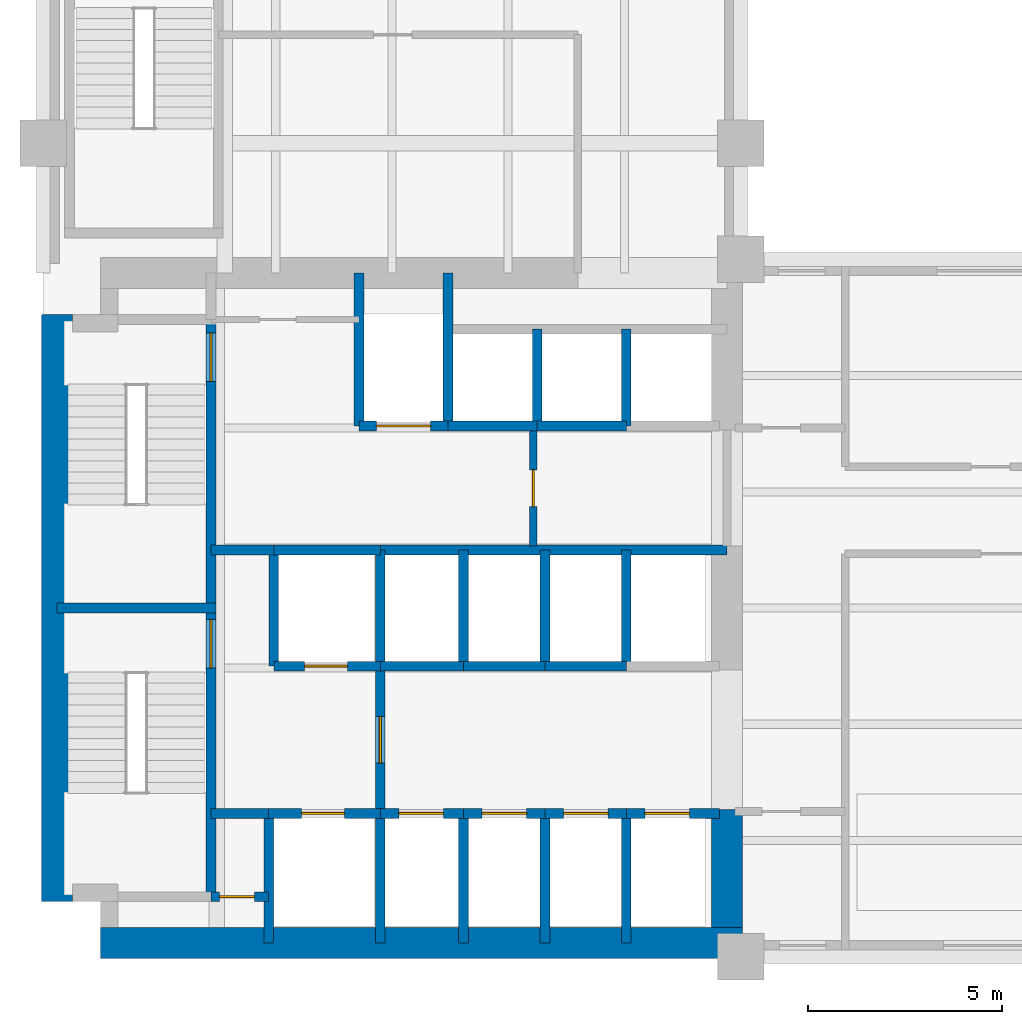
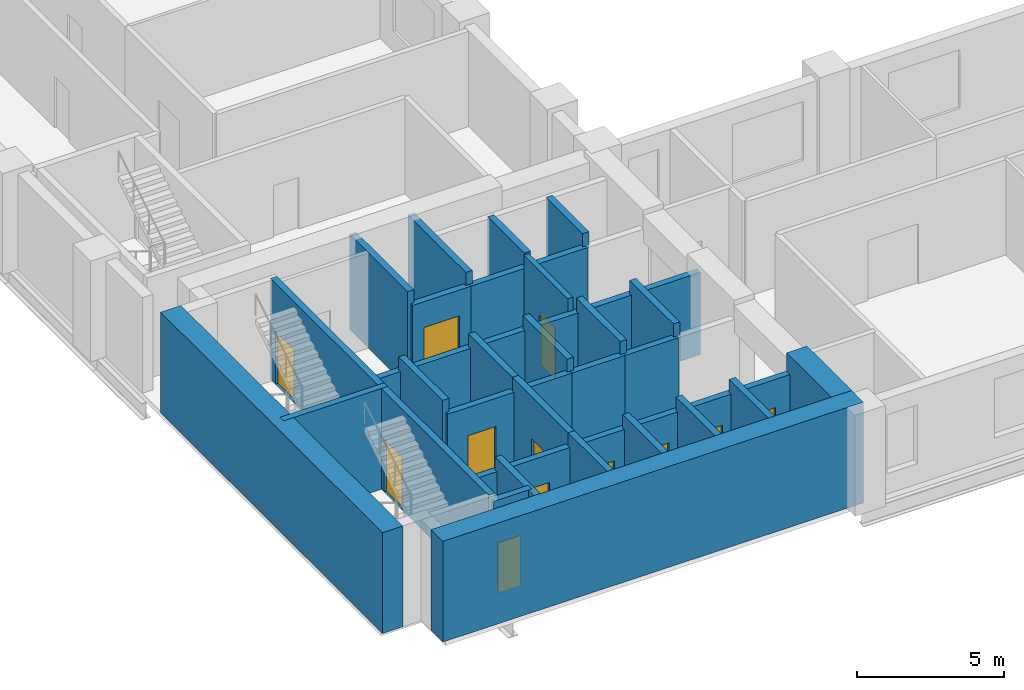
# One storey, part 3 of 7: 39 walls, 12 doors, 12 openings.
"""IFC4 building model written with IfcOpenShell, lengths in metres."""

from ifc_helpers import new_model, si_unit, direction, frame, frame_2d, origin, place, context, subcontext, project, spatial, rectangle, extrude, material, layer, layer_set, type_object, element, fill, save


model = new_model("IFC4")

# Units and contexts
model_context = context("Model", 3, precision=1e-05, world=origin(), true_north=direction((0.0, 1.0)))
body_context = subcontext(model_context, "Body", "Model", "MODEL_VIEW")
ifc_project = project(units=[si_unit("LENGTHUNIT", "METRE"), si_unit("AREAUNIT", "SQUARE_METRE"), si_unit("VOLUMEUNIT", "CUBIC_METRE"), si_unit("PLANEANGLEUNIT", "RADIAN"), si_unit("MASSUNIT", "GRAM", prefix="KILO")], contexts=[model_context])

# Site, building, storey
site_placement = place(None, origin())
site = spatial("IfcSite", under=ifc_project, at=site_placement, CompositionType="ELEMENT")
building_placement = place(site_placement, origin())
building = spatial("IfcBuilding", under=site, at=building_placement, Name="Mawjdan Bourse Tower", CompositionType="ELEMENT")
storey_placement = place(building_placement, frame((0.0, 0.0, 42.60009765625)))
storey = spatial("IfcBuildingStorey", under=building, at=storey_placement, Name="L09", CompositionType="ELEMENT", Elevation=42.60009765625)

# Wall, opening, door
ifc_material_1 = material(Name="Gypsum Fireboard Assembly")
ifc_layer_1 = layer(ifc_material_1, 0.199951171875)
ifc_layer_set_1 = layer_set([ifc_layer_1], Name="Gypsum Fireboard Assembly")
wall_type_1 = type_object("IfcWallType", Name="WL-CMP-200", PredefinedType="PARTITIONING", material=ifc_layer_set_1)
wall_1_placement = place(storey_placement, frame((18.64990234375, 13.60009765625, 0.0), z_axis=(0.0, 0.0, 1.0), x_axis=(0.0, 1.0, 0.0)))
wall_1 = element("IfcWall", 1, at=wall_1_placement, inside=storey, type_object=wall_type_1, Name="L09 Core Restroom West Wall", PredefinedType="PARTITIONING", context=body_context, shape_type="SweptSolid", body=[
    extrude(rectangle(XDim=3.0, YDim=0.199951171875, at=frame_2d((1.5, 0.0))), origin(), (0.0, 0.0, 1.0), 3.969970703125),
])
opening_1_placement = place(wall_1_placement, frame((1.02001953125, 0.0, 0.0)))
opening_1 = element("IfcOpeningElement", 2, at=opening_1_placement, cuts=wall_1, Name="Opening D-L09-14", PredefinedType="OPENING", context=body_context, shape_type="SweptSolid", body=[
    extrude(rectangle(XDim=0.949951171875, YDim=2.10009765625, at=frame_2d((0.47509765625, 1.050048828125))), frame((0.0, 0.10986328125, 0.0), z_axis=(0.0, -1.0, 0.0), x_axis=(1.0, 0.0, 0.0)), (0.0, 0.0, 1.0), 0.219970703125),
])
ifc_material_2 = material(Name="Moisture-Resistant Laminate Timber", Category="wood")
door_type_1 = type_object("IfcDoorType", Name="DR-WET-0950", OperationType="NOTDEFINED", PredefinedType="DOOR", material=ifc_material_2)
door_1_placement = place(opening_1_placement, origin())
door_1 = element("IfcDoor", 3, at=door_1_placement, inside=storey, type_object=door_type_1, Name="L09 Accessible WC Entry Door D-L09-14", OperationType="SINGLE_SWING_RIGHT", OverallHeight=2.10009765625, OverallWidth=0.949951171875, PredefinedType="DOOR", context=body_context, shape_type="SweptSolid", body=[
    extrude(rectangle(XDim=0.949951171875, YDim=2.10009765625, at=frame_2d((0.47509765625, 1.050048828125))), frame((0.0, 0.02490234375, 0.0), z_axis=(0.0, -1.0, 0.0), x_axis=(1.0, 0.0, 0.0)), (0.0, 0.0, 1.0), 0.050048828125),
])
fill(opening_1, door_1)

# Walls
ifc_material_3 = material(Name="Concrete C80/95", Category="concrete")
ifc_layer_2 = layer(ifc_material_3, 0.800048828125)
ifc_layer_set_2 = layer_set([ifc_layer_2], Name="Concrete C80/95")
wall_type_2 = type_object("IfcWallType", Name="WL-CORE-800", PredefinedType="SHEAR", material=ifc_layer_set_2)
wall_2_placement = place(storey_placement, frame((7.47509765625, 3.35009765625, 0.0), z_axis=(0.0, 0.0, 1.0), x_axis=(1.0, 0.0, 0.0)))
element("IfcWall", 4, at=wall_2_placement, inside=storey, type_object=wall_type_2, Name="L09 Rear Core Shear Wall S", PredefinedType="SHEAR", context=body_context, shape_type="SweptSolid", body=[
    extrude(rectangle(XDim=16.574951171875, YDim=0.800048828125, at=frame_2d((8.28759765625, 0.0))), origin(), (0.0, 0.0, 1.0), 4.199951171875),
])
wall_3_placement = place(storey_placement, frame((6.35009765625, 4.425048828125, 0.0), z_axis=(0.0, 0.0, 1.0), x_axis=(0.0, 1.0, 0.0)))
element("IfcWall", 5, at=wall_3_placement, inside=storey, type_object=wall_type_2, Name="L09 Rear Core Shear Wall W", PredefinedType="SHEAR", context=body_context, shape_type="SweptSolid", body=[
    extrude(rectangle(XDim=15.14990234375, YDim=0.800048828125, at=frame_2d((7.574951171875, 0.0))), origin(), (0.0, 0.0, 1.0), 4.199951171875),
])
wall_4_placement = place(storey_placement, frame((23.64990234375, 3.75, 0.0), z_axis=(0.0, 0.0, 1.0), x_axis=(0.0, 1.0, 0.0)))
element("IfcWall", 6, at=wall_4_placement, inside=storey, type_object=wall_type_2, Name="L09 Rear Core Shear Wall E1", PredefinedType="SHEAR", context=body_context, shape_type="SweptSolid", body=[
    extrude(rectangle(XDim=3.050048828125, YDim=0.800048828125, at=frame_2d((1.52490234375, 0.0))), origin(), (0.0, 0.0, 1.0), 4.199951171875),
])

# Wall, opening, door
ifc_material_4 = material(Name="Concrete C50/60", Category="concrete")
ifc_layer_3 = layer(ifc_material_4, 0.25)
ifc_layer_set_3 = layer_set([ifc_layer_3], Name="Concrete C50/60")
wall_type_3 = type_object("IfcWallType", Name="WL-SHFT-250", PredefinedType="PARTITIONING", material=ifc_layer_set_3)
wall_5_placement = place(storey_placement, frame((10.330078125, 4.550048828125, 0.0), z_axis=(0.0, 0.0, 1.0), x_axis=(1.0, 0.0, 0.0)))
wall_5 = element("IfcWall", 7, at=wall_5_placement, inside=storey, type_object=wall_type_3, Name="L09 SW Riser North Wall", PredefinedType="PARTITIONING", context=body_context, shape_type="SweptSolid", body=[
    extrude(rectangle(XDim=1.489990234375, YDim=0.25, at=frame_2d((0.7451171875, 0.0))), origin(), (0.0, 0.0, 1.0), 3.969970703125),
])
opening_2_placement = place(wall_5_placement, frame((0.219970703125, 0.0, 0.0)))
opening_2 = element("IfcOpeningElement", 8, at=opening_2_placement, cuts=wall_5, Name="Opening RD-L09-03", PredefinedType="OPENING", context=body_context, shape_type="SweptSolid", body=[
    extrude(rectangle(XDim=0.89990234375, YDim=2.10009765625, at=frame_2d((0.449951171875, 1.050048828125))), frame((0.0, 0.135009765625, 0.0), z_axis=(0.0, -1.0, 0.0), x_axis=(1.0, 0.0, 0.0)), (0.0, 0.0, 1.0), 0.27001953125),
])
ifc_material_5 = material(Name="Fire-Rated Steel Access Leaf", Category="steel")
door_type_2 = type_object("IfcDoorType", Name="FD-RSR-0900", OperationType="NOTDEFINED", PredefinedType="TRAPDOOR", material=ifc_material_5)
door_2_placement = place(opening_2_placement, origin())
door_2 = element("IfcDoor", 9, at=door_2_placement, inside=storey, type_object=door_type_2, Name="L09 Electrical Riser Access Door RD-L09-03", OperationType="SINGLE_SWING_RIGHT", OverallHeight=2.10009765625, OverallWidth=0.89990234375, PredefinedType="TRAPDOOR", context=body_context, shape_type="SweptSolid", body=[
    extrude(rectangle(XDim=0.89990234375, YDim=2.10009765625, at=frame_2d((0.449951171875, 1.050048828125))), frame((0.0, 0.02490234375, 0.0), z_axis=(0.0, -1.0, 0.0), x_axis=(1.0, 0.0, 0.0)), (0.0, 0.0, 1.0), 0.050048828125),
])
fill(opening_2, door_2)

# Wall
wall_6_placement = place(storey_placement, frame((11.820068359375, 3.35009765625, 0.0), z_axis=(0.0, 0.0, 1.0), x_axis=(0.0, 1.0, 0.0)))
element("IfcWall", 10, at=wall_6_placement, inside=storey, type_object=wall_type_3, Name="L09 SW Riser & FFL01 West Wall", PredefinedType="PARTITIONING", context=body_context, shape_type="SweptSolid", body=[
    extrude(rectangle(XDim=3.349853515625, YDim=0.25, at=frame_2d((1.6748046875, 0.0))), origin(), (0.0, 0.0, 1.0), 3.969970703125),
])

# Wall, opening, door
wall_7_placement = place(storey_placement, frame((11.820068359375, 6.699951171875, 0.0), z_axis=(0.0, 0.0, 1.0), x_axis=(1.0, 0.0, 0.0)))
wall_7 = element("IfcWall", 11, at=wall_7_placement, inside=storey, type_object=wall_type_3, Name="L09 FFL-01 Front Shaft Wall", PredefinedType="PARTITIONING", context=body_context, shape_type="SweptSolid", body=[
    extrude(rectangle(XDim=2.8798828125, YDim=0.25, at=frame_2d((1.43994140625, 0.0))), origin(), (0.0, 0.0, 1.0), 3.42578125),
])
opening_3_placement = place(wall_7_placement, frame((0.85009765625, 0.0, 0.0)))
opening_3 = element("IfcOpeningElement", 12, at=opening_3_placement, cuts=wall_7, Name="Opening LD-L09-05", PredefinedType="OPENING", context=body_context, shape_type="SweptSolid", body=[
    extrude(rectangle(XDim=1.10009765625, YDim=2.25, at=frame_2d((0.550048828125, 1.125))), frame((0.0, 0.135009765625, 0.0), z_axis=(0.0, -1.0, 0.0), x_axis=(1.0, 0.0, 0.0)), (0.0, 0.0, 1.0), 0.27001953125),
])
ifc_material_6 = material(Name="Brushed Stainless Steel", Category="steel")
door_type_3 = type_object("IfcDoorType", Name="LD-FFL-1100", OperationType="DOUBLE_DOOR_SLIDING", PredefinedType="DOOR", material=ifc_material_6)
door_3_placement = place(opening_3_placement, origin())
door_3 = element("IfcDoor", 13, at=door_3_placement, inside=storey, type_object=door_type_3, Name="L09 Firefighting Lift FFL-01 Landing Door LD-L09-05", OperationType="DOUBLE_DOOR_SLIDING", OverallHeight=2.25, OverallWidth=1.10009765625, PredefinedType="DOOR", context=body_context, shape_type="SweptSolid", body=[
    extrude(rectangle(XDim=1.10009765625, YDim=2.25, at=frame_2d((0.550048828125, 1.125))), frame((0.0, 0.02490234375, 0.0), z_axis=(0.0, -1.0, 0.0), x_axis=(1.0, 0.0, 0.0)), (0.0, 0.0, 1.0), 0.050048828125),
])
fill(opening_3, door_3)

# Wall
wall_8_placement = place(storey_placement, frame((14.699951171875, 3.35009765625, 0.0), z_axis=(0.0, 0.0, 1.0), x_axis=(0.0, 1.0, 0.0)))
element("IfcWall", 14, at=wall_8_placement, inside=storey, type_object=wall_type_3, Name="L09 FFL-01 East Shaft Wall", PredefinedType="PARTITIONING", context=body_context, shape_type="SweptSolid", body=[
    extrude(rectangle(XDim=3.349853515625, YDim=0.25, at=frame_2d((1.6748046875, 0.0))), origin(), (0.0, 0.0, 1.0), 3.969970703125),
])

# Wall, opening, door
wall_9_placement = place(storey_placement, frame((11.949951171875, 10.5, 0.0), z_axis=(0.0, 0.0, 1.0), x_axis=(1.0, 0.0, 0.0)))
wall_9 = element("IfcWall", 15, at=wall_9_placement, inside=storey, type_object=wall_type_3, Name="L09 FFL-02 Front Shaft Wall", PredefinedType="PARTITIONING", context=body_context, shape_type="SweptSolid", body=[
    extrude(rectangle(XDim=2.75, YDim=0.25, at=frame_2d((1.375, 0.0))), origin(), (0.0, 0.0, 1.0), 3.42578125),
])
opening_4_placement = place(wall_9_placement, frame((0.800048828125, 0.0, 0.0)))
opening_4 = element("IfcOpeningElement", 16, at=opening_4_placement, cuts=wall_9, Name="Opening LD-L09-06", PredefinedType="OPENING", context=body_context, shape_type="SweptSolid", body=[
    extrude(rectangle(XDim=1.10009765625, YDim=2.25, at=frame_2d((0.550048828125, 1.125))), frame((0.0, 0.135009765625, 0.0), z_axis=(0.0, -1.0, 0.0), x_axis=(1.0, 0.0, 0.0)), (0.0, 0.0, 1.0), 0.27001953125),
])
door_4_placement = place(opening_4_placement, origin())
door_4 = element("IfcDoor", 17, at=door_4_placement, inside=storey, type_object=door_type_3, Name="L09 Firefighting Lift FFL-02 Landing Door LD-L09-06", OperationType="DOUBLE_DOOR_SLIDING", OverallHeight=2.25, OverallWidth=1.10009765625, PredefinedType="DOOR", context=body_context, shape_type="SweptSolid", body=[
    extrude(rectangle(XDim=1.10009765625, YDim=2.25, at=frame_2d((0.550048828125, 1.125))), frame((0.0, 0.02490234375, 0.0), z_axis=(0.0, -1.0, 0.0), x_axis=(1.0, 0.0, 0.0)), (0.0, 0.0, 1.0), 0.050048828125),
])
fill(opening_4, door_4)

# Walls
wall_10_placement = place(storey_placement, frame((11.949951171875, 10.5, 0.0), z_axis=(0.0, 0.0, 1.0), x_axis=(0.0, 1.0, 0.0)))
element("IfcWall", 18, at=wall_10_placement, inside=storey, type_object=wall_type_3, Name="L09 FFL-02 West Shaft Wall", PredefinedType="PARTITIONING", context=body_context, shape_type="SweptSolid", body=[
    extrude(rectangle(XDim=3.0, YDim=0.25, at=frame_2d((1.5, 0.0))), origin(), (0.0, 0.0, 1.0), 3.969970703125),
])
wall_11_placement = place(storey_placement, frame((11.949951171875, 13.5, 0.0), z_axis=(0.0, 0.0, 1.0), x_axis=(1.0, 0.0, 0.0)))
element("IfcWall", 19, at=wall_11_placement, inside=storey, type_object=wall_type_3, Name="L09 FFL-02 North Shaft Wall", PredefinedType="PARTITIONING", context=body_context, shape_type="SweptSolid", body=[
    extrude(rectangle(XDim=2.75, YDim=0.25, at=frame_2d((1.375, 0.0))), origin(), (0.0, 0.0, 1.0), 3.42578125),
])
wall_12_placement = place(storey_placement, frame((14.699951171875, 10.5, 0.0), z_axis=(0.0, 0.0, 1.0), x_axis=(0.0, 1.0, 0.0)))
element("IfcWall", 20, at=wall_12_placement, inside=storey, type_object=wall_type_3, Name="L09 FFL-02 East Shaft Wall", PredefinedType="PARTITIONING", context=body_context, shape_type="SweptSolid", body=[
    extrude(rectangle(XDim=3.0, YDim=0.25, at=frame_2d((1.5, 0.0))), origin(), (0.0, 0.0, 1.0), 3.969970703125),
])

# Wall, opening, door
wall_13_placement = place(storey_placement, frame((14.699951171875, 6.699951171875, 0.0), z_axis=(0.0, 0.0, 1.0), x_axis=(0.0, 1.0, 0.0)))
wall_13 = element("IfcWall", 21, at=wall_13_placement, inside=storey, type_object=wall_type_3, Name="L09 Firefighting Lobby East Compartment Wall", PredefinedType="PARTITIONING", context=body_context, shape_type="SweptSolid", body=[
    extrude(rectangle(XDim=3.800048828125, YDim=0.25, at=frame_2d((1.89990234375, 0.0))), origin(), (0.0, 0.0, 1.0), 3.969970703125),
])
opening_5_placement = place(wall_13_placement, frame((1.300048828125, 0.0, 0.0)))
opening_5 = element("IfcOpeningElement", 22, at=opening_5_placement, cuts=wall_13, Name="Opening FD-L09-07", PredefinedType="OPENING", context=body_context, shape_type="SweptSolid", body=[
    extrude(rectangle(XDim=1.199951171875, YDim=2.199951171875, at=frame_2d((0.60009765625, 1.10009765625))), frame((0.0, 0.135009765625, 0.0), z_axis=(0.0, -1.0, 0.0), x_axis=(1.0, 0.0, 0.0)), (0.0, 0.0, 1.0), 0.27001953125),
])
ifc_material_7 = material(Name="Fire-Rated Steel Leaf", Category="steel")
door_type_4 = type_object("IfcDoorType", Name="FD-FFL-1200", OperationType="NOTDEFINED", PredefinedType="DOOR", material=ifc_material_7)
door_5_placement = place(opening_5_placement, origin())
door_5 = element("IfcDoor", 23, at=door_5_placement, inside=storey, type_object=door_type_4, Name="L09 Firefighting Lobby East Smoke Door FD-L09-07", OperationType="SINGLE_SWING_RIGHT", OverallHeight=2.199951171875, OverallWidth=1.199951171875, PredefinedType="DOOR", context=body_context, shape_type="SweptSolid", body=[
    extrude(rectangle(XDim=1.199951171875, YDim=2.199951171875, at=frame_2d((0.60009765625, 1.10009765625))), frame((0.0, 0.02490234375, 0.0), z_axis=(0.0, -1.0, 0.0), x_axis=(1.0, 0.0, 0.0)), (0.0, 0.0, 1.0), 0.050048828125),
])
fill(opening_5, door_5)

# Walls
wall_14_placement = place(storey_placement, frame((10.330078125, 13.5, 0.0), z_axis=(0.0, 0.0, 1.0), x_axis=(1.0, 0.0, 0.0)))
element("IfcWall", 24, at=wall_14_placement, inside=storey, type_object=wall_type_3, Name="L09 Firefighting Lobby North Compartment Wall", PredefinedType="PARTITIONING", context=body_context, shape_type="SweptSolid", body=[
    extrude(rectangle(XDim=1.619873046875, YDim=0.25, at=frame_2d((0.81005859375, 0.0))), origin(), (0.0, 0.0, 1.0), 3.42578125),
])
wall_15_placement = place(storey_placement, frame((10.330078125, 6.699951171875, 0.0), z_axis=(0.0, 0.0, 1.0), x_axis=(1.0, 0.0, 0.0)))
element("IfcWall", 25, at=wall_15_placement, inside=storey, type_object=wall_type_3, Name="L09 Firefighting Lobby South Closure Wall", PredefinedType="PARTITIONING", context=body_context, shape_type="SweptSolid", body=[
    extrude(rectangle(XDim=1.489990234375, YDim=0.25, at=frame_2d((0.7451171875, 0.0))), origin(), (0.0, 0.0, 1.0), 3.42578125),
])

# Wall, opening, door
wall_16_placement = place(storey_placement, frame((14.14990234375, 16.699951171875, 0.0), z_axis=(0.0, 0.0, 1.0), x_axis=(1.0, 0.0, 0.0)))
wall_16 = element("IfcWall", 26, at=wall_16_placement, inside=storey, type_object=wall_type_3, Name="L09 SVL-01 Front Shaft Wall", PredefinedType="PARTITIONING", context=body_context, shape_type="SweptSolid", body=[
    extrude(rectangle(XDim=2.300048828125, YDim=0.25, at=frame_2d((1.14990234375, 0.0))), origin(), (0.0, 0.0, 1.0), 3.42578125),
])
opening_6_placement = place(wall_16_placement, frame((0.449951171875, 0.0, 0.0)))
opening_6 = element("IfcOpeningElement", 27, at=opening_6_placement, cuts=wall_16, Name="Opening LD-L09-09", PredefinedType="OPENING", context=body_context, shape_type="SweptSolid", body=[
    extrude(rectangle(XDim=1.39990234375, YDim=2.35009765625, at=frame_2d((0.699951171875, 1.175048828125))), frame((0.0, 0.135009765625, 0.0), z_axis=(0.0, -1.0, 0.0), x_axis=(1.0, 0.0, 0.0)), (0.0, 0.0, 1.0), 0.27001953125),
])
ifc_material_8 = material(Name="Heavy-Duty Stainless Steel", Category="steel")
door_type_5 = type_object("IfcDoorType", Name="LD-SRV-1400", OperationType="DOUBLE_DOOR_SLIDING", PredefinedType="DOOR", material=ifc_material_8)
door_6_placement = place(opening_6_placement, origin())
door_6 = element("IfcDoor", 28, at=door_6_placement, inside=storey, type_object=door_type_5, Name="L09 Service Lift SVL-01 Landing Door LD-L09-09", OperationType="DOUBLE_DOOR_SLIDING", OverallHeight=2.35009765625, OverallWidth=1.39990234375, PredefinedType="DOOR", context=body_context, shape_type="SweptSolid", body=[
    extrude(rectangle(XDim=1.39990234375, YDim=2.35009765625, at=frame_2d((0.699951171875, 1.175048828125))), frame((0.0, 0.02490234375, 0.0), z_axis=(0.0, -1.0, 0.0), x_axis=(1.0, 0.0, 0.0)), (0.0, 0.0, 1.0), 0.050048828125),
])
fill(opening_6, door_6)

# Walls
for number, where, z_axis, x_axis, name in (
    (29, (14.14990234375, 16.699951171875, 0.0), (0.0, 0.0, 1.0), (0.0, 1.0, 0.0), "L09 SVL-01 West Shaft Wall"),
    (30, (16.449951171875, 16.699951171875, 0.0), (0.0, 0.0, 1.0), (0.0, 1.0, 0.0), "L09 SVL-01 East Shaft Wall"),
):
    element("IfcWall", number, at=place(storey_placement, frame(where, z_axis=z_axis, x_axis=x_axis)), inside=storey, type_object=wall_type_3, Name=name, PredefinedType="PARTITIONING", context=body_context, shape_type="SweptSolid", body=[
        extrude(rectangle(XDim=3.949951171875, YDim=0.25, at=frame_2d((1.97509765625, 0.0))), origin(), (0.0, 0.0, 1.0), 3.969970703125),
    ])
wall_17_placement = place(storey_placement, frame((16.449951171875, 16.699951171875, 0.0), z_axis=(0.0, 0.0, 1.0), x_axis=(1.0, 0.0, 0.0)))
element("IfcWall", 31, at=wall_17_placement, inside=storey, type_object=wall_type_3, Name="L09 PH-01 Front Wall", PredefinedType="PARTITIONING", context=body_context, shape_type="SweptSolid", body=[
    extrude(rectangle(XDim=2.300048828125, YDim=0.25, at=frame_2d((1.14990234375, 0.0))), origin(), (0.0, 0.0, 1.0), 3.42578125),
])
wall_18_placement = place(storey_placement, frame((18.75, 16.699951171875, 0.0), z_axis=(0.0, 0.0, 1.0), x_axis=(0.0, 1.0, 0.0)))
element("IfcWall", 32, at=wall_18_placement, inside=storey, type_object=wall_type_3, Name="L09 PH-01 Divider Wall", PredefinedType="PARTITIONING", context=body_context, shape_type="SweptSolid", body=[
    extrude(rectangle(XDim=2.5, YDim=0.25, at=frame_2d((1.25, 0.0))), origin(), (0.0, 0.0, 1.0), 3.969970703125),
])
wall_19_placement = place(storey_placement, frame((18.75, 16.699951171875, 0.0), z_axis=(0.0, 0.0, 1.0), x_axis=(1.0, 0.0, 0.0)))
element("IfcWall", 33, at=wall_19_placement, inside=storey, type_object=wall_type_3, Name="L09 PH-02 Front Wall", PredefinedType="PARTITIONING", context=body_context, shape_type="SweptSolid", body=[
    extrude(rectangle(XDim=2.300048828125, YDim=0.25, at=frame_2d((1.14990234375, 0.0))), origin(), (0.0, 0.0, 1.0), 3.42578125),
])
wall_20_placement = place(storey_placement, frame((21.050048828125, 16.699951171875, 0.0), z_axis=(0.0, 0.0, 1.0), x_axis=(0.0, 1.0, 0.0)))
element("IfcWall", 34, at=wall_20_placement, inside=storey, type_object=wall_type_3, Name="L09 PH-02 Divider Wall", PredefinedType="PARTITIONING", context=body_context, shape_type="SweptSolid", body=[
    extrude(rectangle(XDim=2.5, YDim=0.25, at=frame_2d((1.25, 0.0))), origin(), (0.0, 0.0, 1.0), 3.969970703125),
])

# Wall, opening, door
wall_21_placement = place(storey_placement, frame((14.699951171875, 6.699951171875, 0.0), z_axis=(0.0, 0.0, 1.0), x_axis=(1.0, 0.0, 0.0)))
wall_21 = element("IfcWall", 35, at=wall_21_placement, inside=storey, type_object=wall_type_3, Name="L09 PL-04 Front Wall", PredefinedType="PARTITIONING", context=body_context, shape_type="SweptSolid", body=[
    extrude(rectangle(XDim=2.150146484375, YDim=0.25, at=frame_2d((1.0751953125, 0.0))), origin(), (0.0, 0.0, 1.0), 3.42578125),
])
opening_7_placement = place(wall_21_placement, frame((0.47998046875, 0.0, 0.0)))
opening_7 = element("IfcOpeningElement", 36, at=opening_7_placement, cuts=wall_21, Name="Opening LD-L09-10", PredefinedType="OPENING", context=body_context, shape_type="SweptSolid", body=[
    extrude(rectangle(XDim=1.14990234375, YDim=2.25, at=frame_2d((0.574951171875, 1.125))), frame((0.0, 0.135009765625, 0.0), z_axis=(0.0, -1.0, 0.0), x_axis=(1.0, 0.0, 0.0)), (0.0, 0.0, 1.0), 0.27001953125),
])
door_type_6 = type_object("IfcDoorType", Name="LD-PAS-1150", OperationType="DOUBLE_DOOR_SLIDING", PredefinedType="DOOR", material=ifc_material_6)
door_7_placement = place(opening_7_placement, origin())
door_7 = element("IfcDoor", 37, at=door_7_placement, inside=storey, type_object=door_type_6, Name="L09 Lift PL-04 Landing Door LD-L09-10", OperationType="DOUBLE_DOOR_SLIDING", OverallHeight=2.25, OverallWidth=1.14990234375, PredefinedType="DOOR", context=body_context, shape_type="SweptSolid", body=[
    extrude(rectangle(XDim=1.14990234375, YDim=2.25, at=frame_2d((0.574951171875, 1.125))), frame((0.0, 0.02490234375, 0.0), z_axis=(0.0, -1.0, 0.0), x_axis=(1.0, 0.0, 0.0)), (0.0, 0.0, 1.0), 0.050048828125),
])
fill(opening_7, door_7)

# Wall
wall_22_placement = place(storey_placement, frame((16.85009765625, 3.35009765625, 0.0), z_axis=(0.0, 0.0, 1.0), x_axis=(0.0, 1.0, 0.0)))
element("IfcWall", 38, at=wall_22_placement, inside=storey, type_object=wall_type_3, Name="L09 PL-04 Divider Wall", PredefinedType="PARTITIONING", context=body_context, shape_type="SweptSolid", body=[
    extrude(rectangle(XDim=3.349853515625, YDim=0.25, at=frame_2d((1.6748046875, 0.0))), origin(), (0.0, 0.0, 1.0), 3.969970703125),
])

# Wall, opening, door
wall_23_placement = place(storey_placement, frame((16.85009765625, 6.699951171875, 0.0), z_axis=(0.0, 0.0, 1.0), x_axis=(1.0, 0.0, 0.0)))
wall_23 = element("IfcWall", 39, at=wall_23_placement, inside=storey, type_object=wall_type_3, Name="L09 PL-01 Front Wall", PredefinedType="PARTITIONING", context=body_context, shape_type="SweptSolid", body=[
    extrude(rectangle(XDim=2.099853515625, YDim=0.25, at=frame_2d((1.0498046875, 0.0))), origin(), (0.0, 0.0, 1.0), 3.42578125),
])
opening_8_placement = place(wall_23_placement, frame((0.47998046875, 0.0, 0.0)))
opening_8 = element("IfcOpeningElement", 40, at=opening_8_placement, cuts=wall_23, Name="Opening LD-L09-11", PredefinedType="OPENING", context=body_context, shape_type="SweptSolid", body=[
    extrude(rectangle(XDim=1.14990234375, YDim=2.25, at=frame_2d((0.574951171875, 1.125))), frame((0.0, 0.135009765625, 0.0), z_axis=(0.0, -1.0, 0.0), x_axis=(1.0, 0.0, 0.0)), (0.0, 0.0, 1.0), 0.27001953125),
])
door_8_placement = place(opening_8_placement, origin())
door_8 = element("IfcDoor", 41, at=door_8_placement, inside=storey, type_object=door_type_6, Name="L09 Lift PL-01 Landing Door LD-L09-11", OperationType="DOUBLE_DOOR_SLIDING", OverallHeight=2.25, OverallWidth=1.14990234375, PredefinedType="DOOR", context=body_context, shape_type="SweptSolid", body=[
    extrude(rectangle(XDim=1.14990234375, YDim=2.25, at=frame_2d((0.574951171875, 1.125))), frame((0.0, 0.02490234375, 0.0), z_axis=(0.0, -1.0, 0.0), x_axis=(1.0, 0.0, 0.0)), (0.0, 0.0, 1.0), 0.050048828125),
])
fill(opening_8, door_8)

# Wall
wall_24_placement = place(storey_placement, frame((18.949951171875, 3.35009765625, 0.0), z_axis=(0.0, 0.0, 1.0), x_axis=(0.0, 1.0, 0.0)))
element("IfcWall", 42, at=wall_24_placement, inside=storey, type_object=wall_type_3, Name="L09 PL-01 Divider Wall", PredefinedType="PARTITIONING", context=body_context, shape_type="SweptSolid", body=[
    extrude(rectangle(XDim=3.349853515625, YDim=0.25, at=frame_2d((1.6748046875, 0.0))), origin(), (0.0, 0.0, 1.0), 3.969970703125),
])

# Wall, opening, door
wall_25_placement = place(storey_placement, frame((18.949951171875, 6.699951171875, 0.0), z_axis=(0.0, 0.0, 1.0), x_axis=(1.0, 0.0, 0.0)))
wall_25 = element("IfcWall", 43, at=wall_25_placement, inside=storey, type_object=wall_type_3, Name="L09 PL-02 Front Wall", PredefinedType="PARTITIONING", context=body_context, shape_type="SweptSolid", body=[
    extrude(rectangle(XDim=2.10009765625, YDim=0.25, at=frame_2d((1.050048828125, 0.0))), origin(), (0.0, 0.0, 1.0), 3.42578125),
])
opening_9_placement = place(wall_25_placement, frame((0.47998046875, 0.0, 0.0)))
opening_9 = element("IfcOpeningElement", 44, at=opening_9_placement, cuts=wall_25, Name="Opening LD-L09-12", PredefinedType="OPENING", context=body_context, shape_type="SweptSolid", body=[
    extrude(rectangle(XDim=1.14990234375, YDim=2.25, at=frame_2d((0.574951171875, 1.125))), frame((0.0, 0.135009765625, 0.0), z_axis=(0.0, -1.0, 0.0), x_axis=(1.0, 0.0, 0.0)), (0.0, 0.0, 1.0), 0.27001953125),
])
door_9_placement = place(opening_9_placement, origin())
door_9 = element("IfcDoor", 45, at=door_9_placement, inside=storey, type_object=door_type_6, Name="L09 Lift PL-02 Landing Door LD-L09-12", OperationType="DOUBLE_DOOR_SLIDING", OverallHeight=2.25, OverallWidth=1.14990234375, PredefinedType="DOOR", context=body_context, shape_type="SweptSolid", body=[
    extrude(rectangle(XDim=1.14990234375, YDim=2.25, at=frame_2d((0.574951171875, 1.125))), frame((0.0, 0.02490234375, 0.0), z_axis=(0.0, -1.0, 0.0), x_axis=(1.0, 0.0, 0.0)), (0.0, 0.0, 1.0), 0.050048828125),
])
fill(opening_9, door_9)

# Wall
wall_26_placement = place(storey_placement, frame((21.050048828125, 3.35009765625, 0.0), z_axis=(0.0, 0.0, 1.0), x_axis=(0.0, 1.0, 0.0)))
element("IfcWall", 46, at=wall_26_placement, inside=storey, type_object=wall_type_3, Name="L09 PL-02 Divider Wall", PredefinedType="PARTITIONING", context=body_context, shape_type="SweptSolid", body=[
    extrude(rectangle(XDim=3.349853515625, YDim=0.25, at=frame_2d((1.6748046875, 0.0))), origin(), (0.0, 0.0, 1.0), 3.969970703125),
])

# Wall, opening, door
wall_27_placement = place(storey_placement, frame((21.050048828125, 6.699951171875, 0.0), z_axis=(0.0, 0.0, 1.0), x_axis=(1.0, 0.0, 0.0)))
wall_27 = element("IfcWall", 47, at=wall_27_placement, inside=storey, type_object=wall_type_3, Name="L09 PL-03 Front Wall", PredefinedType="PARTITIONING", context=body_context, shape_type="SweptSolid", body=[
    extrude(rectangle(XDim=2.39990234375, YDim=0.25, at=frame_2d((1.199951171875, 0.0))), origin(), (0.0, 0.0, 1.0), 3.42578125),
])
opening_10_placement = place(wall_27_placement, frame((0.47998046875, 0.0, 0.0)))
opening_10 = element("IfcOpeningElement", 48, at=opening_10_placement, cuts=wall_27, Name="Opening LD-L09-13", PredefinedType="OPENING", context=body_context, shape_type="SweptSolid", body=[
    extrude(rectangle(XDim=1.14990234375, YDim=2.25, at=frame_2d((0.574951171875, 1.125))), frame((0.0, 0.135009765625, 0.0), z_axis=(0.0, -1.0, 0.0), x_axis=(1.0, 0.0, 0.0)), (0.0, 0.0, 1.0), 0.27001953125),
])
door_10_placement = place(opening_10_placement, origin())
door_10 = element("IfcDoor", 49, at=door_10_placement, inside=storey, type_object=door_type_6, Name="L09 Lift PL-03 Landing Door LD-L09-13", OperationType="DOUBLE_DOOR_SLIDING", OverallHeight=2.25, OverallWidth=1.14990234375, PredefinedType="DOOR", context=body_context, shape_type="SweptSolid", body=[
    extrude(rectangle(XDim=1.14990234375, YDim=2.25, at=frame_2d((0.574951171875, 1.125))), frame((0.0, 0.02490234375, 0.0), z_axis=(0.0, -1.0, 0.0), x_axis=(1.0, 0.0, 0.0)), (0.0, 0.0, 1.0), 0.050048828125),
])
fill(opening_10, door_10)

# Walls
wall_28_placement = place(storey_placement, frame((14.699951171875, 10.5, 0.0), z_axis=(0.0, 0.0, 1.0), x_axis=(1.0, 0.0, 0.0)))
element("IfcWall", 50, at=wall_28_placement, inside=storey, type_object=wall_type_3, Name="L09 PM-01 Front Wall", PredefinedType="PARTITIONING", context=body_context, shape_type="SweptSolid", body=[
    extrude(rectangle(XDim=2.150146484375, YDim=0.25, at=frame_2d((1.0751953125, 0.0))), origin(), (0.0, 0.0, 1.0), 3.42578125),
])
wall_29_placement = place(storey_placement, frame((16.85009765625, 10.5, 0.0), z_axis=(0.0, 0.0, 1.0), x_axis=(0.0, 1.0, 0.0)))
element("IfcWall", 51, at=wall_29_placement, inside=storey, type_object=wall_type_3, Name="L09 PM-01 Divider Wall", PredefinedType="PARTITIONING", context=body_context, shape_type="SweptSolid", body=[
    extrude(rectangle(XDim=3.0, YDim=0.25, at=frame_2d((1.5, 0.0))), origin(), (0.0, 0.0, 1.0), 3.969970703125),
])
wall_30_placement = place(storey_placement, frame((16.85009765625, 10.5, 0.0), z_axis=(0.0, 0.0, 1.0), x_axis=(1.0, 0.0, 0.0)))
element("IfcWall", 52, at=wall_30_placement, inside=storey, type_object=wall_type_3, Name="L09 PM-02 Front Wall", PredefinedType="PARTITIONING", context=body_context, shape_type="SweptSolid", body=[
    extrude(rectangle(XDim=2.099853515625, YDim=0.25, at=frame_2d((1.0498046875, 0.0))), origin(), (0.0, 0.0, 1.0), 3.42578125),
])
wall_31_placement = place(storey_placement, frame((18.949951171875, 10.5, 0.0), z_axis=(0.0, 0.0, 1.0), x_axis=(0.0, 1.0, 0.0)))
element("IfcWall", 53, at=wall_31_placement, inside=storey, type_object=wall_type_3, Name="L09 PM-02 Divider Wall", PredefinedType="PARTITIONING", context=body_context, shape_type="SweptSolid", body=[
    extrude(rectangle(XDim=3.0, YDim=0.25, at=frame_2d((1.5, 0.0))), origin(), (0.0, 0.0, 1.0), 3.969970703125),
])
wall_32_placement = place(storey_placement, frame((18.949951171875, 10.5, 0.0), z_axis=(0.0, 0.0, 1.0), x_axis=(1.0, 0.0, 0.0)))
element("IfcWall", 54, at=wall_32_placement, inside=storey, type_object=wall_type_3, Name="L09 PM-03 Front Wall", PredefinedType="PARTITIONING", context=body_context, shape_type="SweptSolid", body=[
    extrude(rectangle(XDim=2.10009765625, YDim=0.25, at=frame_2d((1.050048828125, 0.0))), origin(), (0.0, 0.0, 1.0), 3.42578125),
])
wall_33_placement = place(storey_placement, frame((21.050048828125, 10.5, 0.0), z_axis=(0.0, 0.0, 1.0), x_axis=(0.0, 1.0, 0.0)))
element("IfcWall", 55, at=wall_33_placement, inside=storey, type_object=wall_type_3, Name="L09 PM-03 Divider Wall", PredefinedType="PARTITIONING", context=body_context, shape_type="SweptSolid", body=[
    extrude(rectangle(XDim=3.0, YDim=0.25, at=frame_2d((1.5, 0.0))), origin(), (0.0, 0.0, 1.0), 3.969970703125),
])
wall_34_placement = place(storey_placement, frame((14.699951171875, 13.5, 0.0), z_axis=(0.0, 0.0, 1.0), x_axis=(1.0, 0.0, 0.0)))
element("IfcWall", 56, at=wall_34_placement, inside=storey, type_object=wall_type_3, Name="L09 PM Bank North Shaft Back Wall", PredefinedType="PARTITIONING", context=body_context, shape_type="SweptSolid", body=[
    extrude(rectangle(XDim=8.949951171875, YDim=0.25, at=frame_2d((4.47509765625, 0.0))), origin(), (0.0, 0.0, 1.0), 3.42578125),
])
ifc_layer_4 = layer(ifc_material_4, 0.25)
ifc_layer_set_4 = layer_set([ifc_layer_4], Name="Concrete C50/60")
wall_type_4 = type_object("IfcWallType", Name="WL-STRW-250", PredefinedType="SHEAR", material=ifc_layer_set_4)
wall_35_placement = place(storey_placement, frame((6.35009765625, 12.0, 0.0), z_axis=(0.0, 0.0, 1.0), x_axis=(1.0, 0.0, 0.0)))
element("IfcWall", 57, at=wall_35_placement, inside=storey, type_object=wall_type_4, Name="L09 Stairwell Dividing Shaft Wall", PredefinedType="SHEAR", context=body_context, shape_type="SweptSolid", body=[
    extrude(rectangle(XDim=4.10498046875, YDim=0.25, at=frame_2d((2.052490234375, 0.0))), origin(), (0.0, 0.0, 1.0), 4.199951171875),
])

# Wall, opening, door
wall_36_placement = place(storey_placement, frame((10.330078125, 4.550048828125, 0.0), z_axis=(0.0, 0.0, 1.0), x_axis=(0.0, 1.0, 0.0)))
wall_36 = element("IfcWall", 58, at=wall_36_placement, inside=storey, type_object=wall_type_4, Name="L09 Stairwell ST1 East Enclosure Wall", PredefinedType="SHEAR", context=body_context, shape_type="SweptSolid", body=[
    extrude(rectangle(XDim=7.449951171875, YDim=0.25, at=frame_2d((3.72509765625, 0.0))), origin(), (0.0, 0.0, 1.0), 4.199951171875),
])
opening_11_placement = place(wall_36_placement, frame((5.89990234375, 0.0, 0.0)))
opening_11 = element("IfcOpeningElement", 59, at=opening_11_placement, cuts=wall_36, Name="Opening SD-L09-01", PredefinedType="OPENING", context=body_context, shape_type="SweptSolid", body=[
    extrude(rectangle(XDim=1.25, YDim=2.199951171875, at=frame_2d((0.625, 1.10009765625))), frame((0.0, 0.135009765625, 0.0), z_axis=(0.0, -1.0, 0.0), x_axis=(1.0, 0.0, 0.0)), (0.0, 0.0, 1.0), 0.27001953125),
])
door_type_7 = type_object("IfcDoorType", Name="FD-ST-1250", OperationType="NOTDEFINED", PredefinedType="DOOR", material=ifc_material_7)
door_11_placement = place(opening_11_placement, origin())
door_11 = element("IfcDoor", 60, at=door_11_placement, inside=storey, type_object=door_type_7, Name="L09 Exit Stair ST1 Fire Door SD-L09-01", OperationType="SINGLE_SWING_RIGHT", OverallHeight=2.199951171875, OverallWidth=1.25, PredefinedType="DOOR", context=body_context, shape_type="SweptSolid", body=[
    extrude(rectangle(XDim=1.25, YDim=2.199951171875, at=frame_2d((0.625, 1.10009765625))), frame((0.0, 0.02490234375, 0.0), z_axis=(0.0, -1.0, 0.0), x_axis=(1.0, 0.0, 0.0)), (0.0, 0.0, 1.0), 0.050048828125),
])
fill(opening_11, door_11)

wall_37_placement = place(storey_placement, frame((10.330078125, 12.0, 0.0), z_axis=(0.0, 0.0, 1.0), x_axis=(0.0, 1.0, 0.0)))
wall_37 = element("IfcWall", 61, at=wall_37_placement, inside=storey, type_object=wall_type_4, Name="L09 Stairwell ST2 East Enclosure Wall", PredefinedType="SHEAR", context=body_context, shape_type="SweptSolid", body=[
    extrude(rectangle(XDim=7.449951171875, YDim=0.25, at=frame_2d((3.72509765625, 0.0))), origin(), (0.0, 0.0, 1.0), 4.199951171875),
])
opening_12_placement = place(wall_37_placement, frame((5.85009765625, 0.0, 0.0)))
opening_12 = element("IfcOpeningElement", 62, at=opening_12_placement, cuts=wall_37, Name="Opening SD-L09-02", PredefinedType="OPENING", context=body_context, shape_type="SweptSolid", body=[
    extrude(rectangle(XDim=1.25, YDim=2.199951171875, at=frame_2d((0.625, 1.10009765625))), frame((0.0, 0.135009765625, 0.0), z_axis=(0.0, -1.0, 0.0), x_axis=(1.0, 0.0, 0.0)), (0.0, 0.0, 1.0), 0.27001953125),
])
door_12_placement = place(opening_12_placement, origin())
door_12 = element("IfcDoor", 63, at=door_12_placement, inside=storey, type_object=door_type_7, Name="L09 Exit Stair ST2 Fire Door SD-L09-02", OperationType="SINGLE_SWING_LEFT", OverallHeight=2.199951171875, OverallWidth=1.25, PredefinedType="DOOR", context=body_context, shape_type="SweptSolid", body=[
    extrude(rectangle(XDim=1.25, YDim=2.199951171875, at=frame_2d((0.625, 1.10009765625))), frame((0.0, 0.02490234375, 0.0), z_axis=(0.0, -1.0, 0.0), x_axis=(1.0, 0.0, 0.0)), (0.0, 0.0, 1.0), 0.050048828125),
])
fill(opening_12, door_12)

save(model, "model.ifc")
